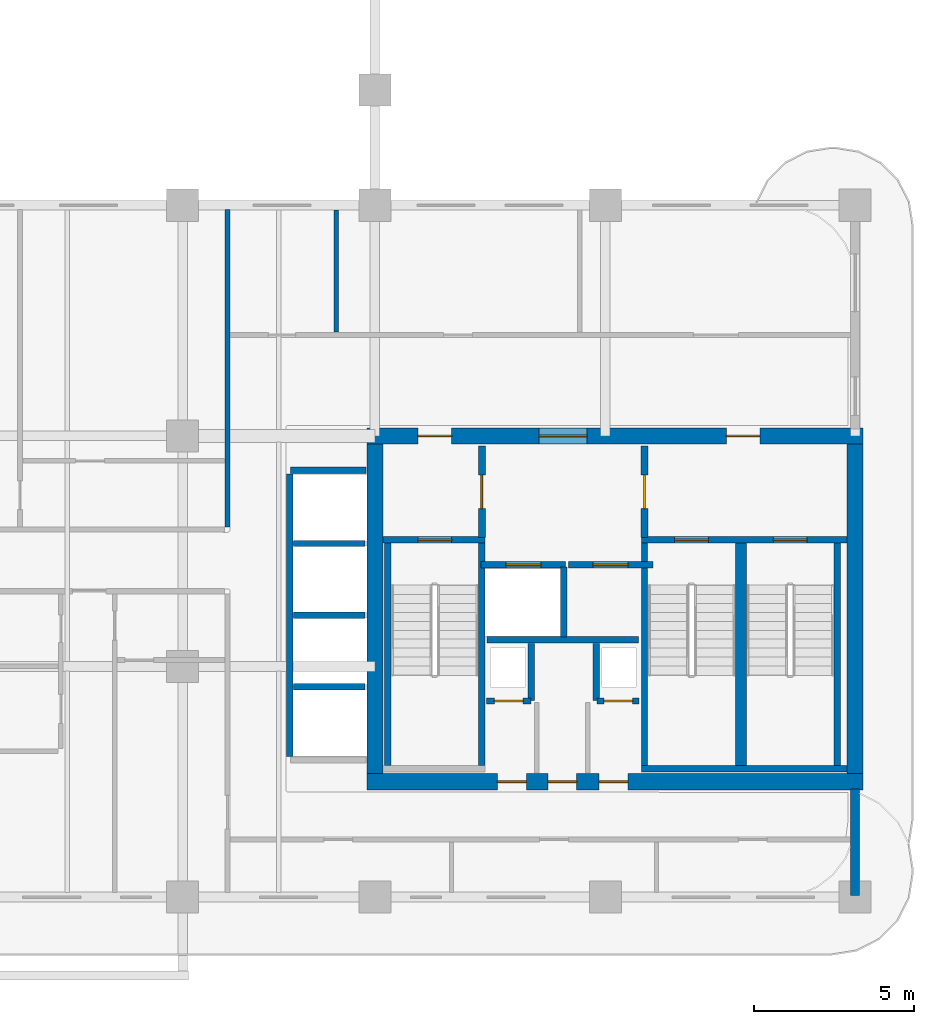
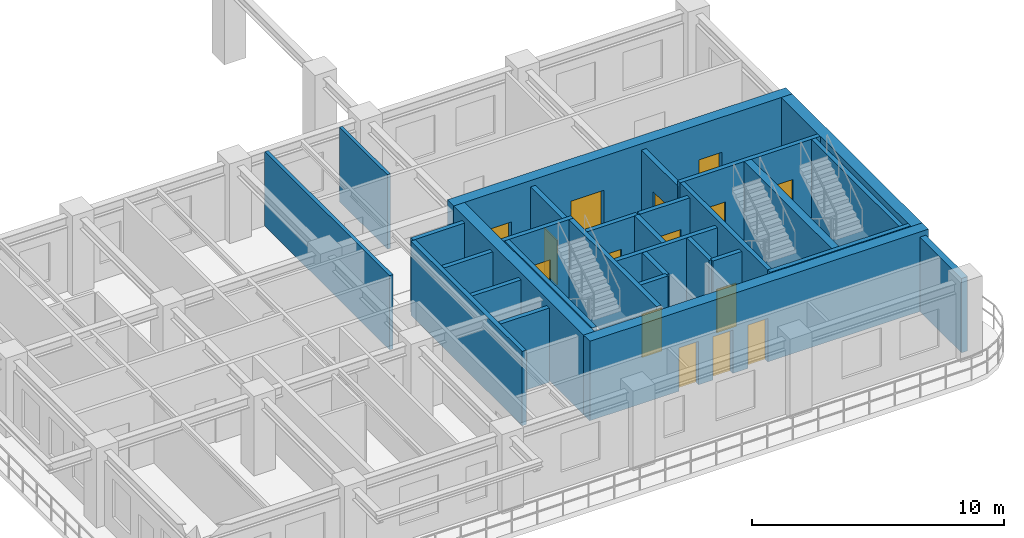
# One storey, part 6 of 14: 30 walls, 15 doors, 15 openings.
"""IFC4 building model written with IfcOpenShell, lengths in metres."""

import ifcopenshell
import ifcopenshell.guid

model = None  # the IFC model being written
_history = None  # IfcOwnerHistory: only IFC2X3 demands one
_inside = {}  # id of a spatial element -> (the spatial element, [elements in it])
_under = {}  # id of a project, library or spatial element -> (it, [spatial elements below it])
_declared = {}  # id of a project -> (the project, [libraries it declares])
_typed = {}  # id of a type object -> (the type object, [elements of that type])
_made_of = {}  # id of a material, layer set ... -> (it, [elements and type objects made of it])


def new_model(schema):
    """Start an empty IFC model of exactly this schema.

    Asked for "IFC4X3", IfcOpenShell would pick the latest addendum, in which some entities
    have other attributes; the version numbers below select the first issue.
    IFC2X3 requires an IfcOwnerHistory on every rooted entity: one is made here for all.
    """
    global model, _history
    if schema == "IFC4X3":
        model = ifcopenshell.file(schema_version=(4, 3, 0, 0))
    else:
        model = ifcopenshell.file(schema=schema)
    _inside.clear()
    _under.clear()
    _declared.clear()
    _typed.clear()
    _made_of.clear()
    _history = None
    if model.schema == "IFC2X3":
        org = make("IfcOrganization", Name="unknown")
        user = make(
            "IfcPersonAndOrganization",
            ThePerson=make("IfcPerson", FamilyName="unknown"),
            TheOrganization=org,
        )
        app = make(
            "IfcApplication",
            ApplicationDeveloper=org,
            Version="unknown",
            ApplicationFullName="unknown",
            ApplicationIdentifier="unknown",
        )
        _history = make(
            "IfcOwnerHistory",
            OwningUser=user,
            OwningApplication=app,
            ChangeAction="ADDED",
            CreationDate=0,
        )
    return model


def make(cls, **values):
    """One entity of the class cls with the attributes given. An attribute that is None is left unset."""
    return model.create_entity(
        cls, **{name: value for name, value in values.items() if value is not None}
    )


def rooted(cls, **values):
    """An entity with a GlobalId (a new one), such as an element, a storey or a relation."""
    return make(cls, GlobalId=ifcopenshell.guid.new(), OwnerHistory=_history, **values)


def si_unit(unit_type, name, prefix=None):
    """IfcSIUnit, for example si_unit("LENGTHUNIT", "METRE", prefix="MILLI")."""
    return make("IfcSIUnit", UnitType=unit_type, Prefix=prefix, Name=name)


def derived_unit(unit_type, elements):
    """IfcDerivedUnit: a product of units, each with its exponent."""
    return make(
        "IfcDerivedUnit",
        Elements=[
            make("IfcDerivedUnitElement", Unit=unit, Exponent=power)
            for unit, power in elements
        ],
        UnitType=unit_type,
    )


def assignment(units):
    """IfcUnitAssignment: the units of a project."""
    return None if units is None else make("IfcUnitAssignment", Units=units)


def point(xyz):
    """IfcCartesianPoint."""
    return None if xyz is None else make("IfcCartesianPoint", Coordinates=xyz)


def direction(xyz):
    """IfcDirection."""
    return None if xyz is None else make("IfcDirection", DirectionRatios=xyz)


def frame(location, z_axis=None, x_axis=None):
    """IfcAxis2Placement3D, a coordinate frame: its origin and axes. An axis left out is left unset."""
    return make(
        "IfcAxis2Placement3D",
        Location=point(location),
        Axis=direction(z_axis),
        RefDirection=direction(x_axis),
    )


def frame_2d(location, x_axis=None):
    """IfcAxis2Placement2D, a coordinate frame in the plane: its origin and x axis."""
    return make(
        "IfcAxis2Placement2D", Location=point(location), RefDirection=direction(x_axis)
    )


def origin():
    """The frame at (0, 0, 0) with its axes left unset."""
    return frame((0.0, 0.0, 0.0))


def place(relative_to, where):
    """IfcLocalPlacement: puts the frame where relative to a parent placement (None: the world)."""
    return make(
        "IfcLocalPlacement", PlacementRelTo=relative_to, RelativePlacement=where
    )


def context(
    kind, dimensions, precision=None, world=None, true_north=None, identifier=None
):
    """IfcGeometricRepresentationContext, for example the 3D "Model" context."""
    return make(
        "IfcGeometricRepresentationContext",
        ContextIdentifier=identifier,
        ContextType=kind,
        CoordinateSpaceDimension=dimensions,
        Precision=precision,
        WorldCoordinateSystem=world,
        TrueNorth=true_north,
    )


def subcontext(parent, identifier, kind, view, scale=None):
    """IfcGeometricRepresentationSubContext, for example "Body" below "Model"."""
    return make(
        "IfcGeometricRepresentationSubContext",
        ContextIdentifier=identifier,
        ContextType=kind,
        ParentContext=parent,
        TargetScale=scale,
        TargetView=view,
    )


def project(units=None, contexts=None):
    """IfcProject with its units and contexts."""
    return rooted(
        "IfcProject",
        Name="project",
        RepresentationContexts=contexts,
        UnitsInContext=assignment(units),
    )


def spatial(cls, under=None, at=None, **own):
    """A site, building, storey or space (cls), placed at a placement, below another one or the project."""
    s = rooted(cls, ObjectPlacement=at, **own)
    if under is not None:
        _under.setdefault(under.id(), (under, []))[1].append(s)
    return s


def profile(cls, at=None, kind="AREA", **sizes):
    """A parametric profile (cls). Its sizes go by their IFC names, for example OverallWidth=200.0."""
    return make(cls, ProfileType=kind, Position=at, **sizes)


def rectangle(**sizes):
    """IfcRectangleProfileDef."""
    return profile("IfcRectangleProfileDef", **sizes)


def extrude(swept, where, along, depth):
    """IfcExtrudedAreaSolid: the profile swept, set in the frame where, extruded along a direction by depth."""
    return make(
        "IfcExtrudedAreaSolid",
        SweptArea=swept,
        Position=where,
        ExtrudedDirection=direction(along),
        Depth=depth,
    )


def shape(context_of_items, identifier, shape_type, items):
    """IfcShapeRepresentation: the items that make up one representation, for example the "Body"."""
    return make(
        "IfcShapeRepresentation",
        ContextOfItems=context_of_items,
        RepresentationIdentifier=identifier,
        RepresentationType=shape_type,
        Items=items,
    )


def source(mapping_origin, context_of_items, identifier, shape_type, items):
    """IfcRepresentationMap: a shape defined once, which mapped items show again and again."""
    return make(
        "IfcRepresentationMap",
        MappingOrigin=mapping_origin,
        MappedRepresentation=shape(context_of_items, identifier, shape_type, items),
    )


def transform(
    local_origin,
    x_axis=None,
    y_axis=None,
    z_axis=None,
    scale=None,
    scale2=None,
    scale3=None,
    uniform=True,
):
    """IfcCartesianTransformationOperator3D, or its non-uniform kind. x_axis, y_axis, z_axis: its Axis1, 2, 3."""
    if uniform:
        return make(
            "IfcCartesianTransformationOperator3D",
            Axis1=direction(x_axis),
            Axis2=direction(y_axis),
            LocalOrigin=point(local_origin),
            Scale=scale,
            Axis3=direction(z_axis),
        )
    return make(
        "IfcCartesianTransformationOperator3DnonUniform",
        Axis1=direction(x_axis),
        Axis2=direction(y_axis),
        LocalOrigin=point(local_origin),
        Scale=scale,
        Axis3=direction(z_axis),
        Scale2=scale2,
        Scale3=scale3,
    )


def mapped(mapping_source, mapping_target):
    """IfcMappedItem: shows the shape of a source again, moved by a transform."""
    return make(
        "IfcMappedItem", MappingSource=mapping_source, MappingTarget=mapping_target
    )


def material(Name=None, Category=None):
    """IfcMaterial."""
    return make("IfcMaterial", Name=Name, Category=Category)


def layer(
    of_material, thickness, ventilated=None, Name=None, Category=None, Priority=None
):
    """IfcMaterialLayer: one layer of a wall or slab, of a material (None: an air gap)."""
    return make(
        "IfcMaterialLayer",
        Material=of_material,
        LayerThickness=thickness,
        IsVentilated=ventilated,
        Name=Name,
        Category=Category,
        Priority=Priority,
    )


def layer_set(layers, Name=None):
    """IfcMaterialLayerSet."""
    return make("IfcMaterialLayerSet", MaterialLayers=layers, LayerSetName=Name)


def made_of(thing, what):
    """Note that an element or type object is made of a material, layer set ...; save() writes the relation."""
    if what is not None:
        _made_of.setdefault(what.id(), (what, []))[1].append(thing)
    return thing


def type_object(cls, material=None, **own):
    """A type object (cls), such as IfcWallType, which elements share."""
    return made_of(rooted(cls, **own), material)


def type_shapes(of_type, sources):
    """Give a type object the sources (RepresentationMaps) that its elements show as mapped items."""
    of_type.RepresentationMaps = sources


def element(
    cls,
    number,
    at=None,
    inside=None,
    cuts=None,
    type_object=None,
    material=None,
    context=None,
    identifier="Body",
    shape_type=None,
    held_by="IfcProductDefinitionShape",
    body=None,
    shapes=None,
    **own,
):
    """One element of the class cls, such as IfcWall. Its Tag is "e" and its number.

    at: its placement. inside: the storey or other place that contains it. cuts: it is an
    opening in that element (IfcRelVoidsElement). A single representation is given by context,
    identifier, shape_type and body (its items); several are given by shapes. held_by: the class
    of the entity that holds the representations. save() writes the other relations.
    """
    e = rooted(cls, Tag="e%d" % number, ObjectPlacement=at, **own)
    if body is not None:
        shapes = [shape(context, identifier, shape_type, body)]
    if shapes is not None:
        e.Representation = make(held_by, Representations=shapes)
    if inside is not None:
        _inside.setdefault(inside.id(), (inside, []))[1].append(e)
    if cuts is not None:
        rooted(
            "IfcRelVoidsElement", RelatingBuildingElement=cuts, RelatedOpeningElement=e
        )
    if type_object is not None:
        _typed.setdefault(type_object.id(), (type_object, []))[1].append(e)
    return made_of(e, material)


def fill(opening, filler):
    """IfcRelFillsElement: the door or window that sits in an opening."""
    return rooted(
        "IfcRelFillsElement",
        RelatingOpeningElement=opening,
        RelatedBuildingElement=filler,
    )


def aggregate(whole, parts):
    """IfcRelAggregates: a whole, such as a stair, and the parts it consists of."""
    return rooted("IfcRelAggregates", RelatingObject=whole, RelatedObjects=parts)


def save(model, path):
    """Write the relations noted so far, then the file.

    IfcRelAggregates (storeys below a building ...), IfcRelContainedInSpatialStructure (elements
    in a storey), IfcRelDefinesByType, IfcRelAssociatesMaterial and IfcRelDeclares: one each for
    every whole, place, type object, material and project.
    """
    for whole, parts in _under.values():
        aggregate(whole, parts)
    for where, things in _inside.values():
        rooted(
            "IfcRelContainedInSpatialStructure",
            RelatedElements=things,
            RelatingStructure=where,
        )
    for kind, things in _typed.values():
        rooted("IfcRelDefinesByType", RelatedObjects=things, RelatingType=kind)
    for what, things in _made_of.values():
        rooted("IfcRelAssociatesMaterial", RelatedObjects=things, RelatingMaterial=what)
    for by, libraries in _declared.values():
        rooted("IfcRelDeclares", RelatingContext=by, RelatedDefinitions=libraries)
    model.write(path)


model = new_model("IFC4")

# Units and contexts
model_context = context("Model", 3, precision=1e-05, world=origin(), true_north=direction((0.0, 1.0)))
body_context = subcontext(model_context, "Body", "Model", "MODEL_VIEW")
ifc_project = project(units=[si_unit("LENGTHUNIT", "METRE"), si_unit("AREAUNIT", "SQUARE_METRE"), si_unit("VOLUMEUNIT", "CUBIC_METRE"), si_unit("PLANEANGLEUNIT", "RADIAN"), si_unit("MASSUNIT", "GRAM", prefix="KILO"), si_unit("THERMODYNAMICTEMPERATUREUNIT", "KELVIN"), si_unit("POWERUNIT", "WATT"), derived_unit("THERMALTRANSMITTANCEUNIT", [(si_unit("POWERUNIT", "WATT"), 1), (si_unit("AREAUNIT", "SQUARE_METRE"), -1), (si_unit("THERMODYNAMICTEMPERATUREUNIT", "KELVIN"), -1)])], contexts=[model_context])

# Site, building, storey
site_placement = place(None, origin())
site = spatial("IfcSite", under=ifc_project, at=site_placement, CompositionType="ELEMENT")
building_placement = place(site_placement, origin())
building = spatial("IfcBuilding", under=site, at=building_placement, Name="Zahravan Archway Hotel and Residences", CompositionType="ELEMENT")
storey_placement = place(building_placement, frame((0.0, 0.0, 188.800048828125)))
storey = spatial("IfcBuildingStorey", under=building, at=storey_placement, Name="L47", CompositionType="ELEMENT", Elevation=188.800048828125)

# Wall, openings, doors
ifc_material_1 = material(Name="Concrete C60/75", Category="concrete")
ifc_layer_1 = layer(ifc_material_1, 0.5, Name="Concrete C60/75", Category="concrete")
ifc_layer_set_1 = layer_set([ifc_layer_1], Name="Concrete C60/75")
wall_type_1 = type_object("IfcWallType", Name="CW-CORE-500", PredefinedType="SHEAR", material=ifc_layer_set_1)
wall_1_placement = place(storey_placement, frame((34.550048828125, 3.60009765625, 0.0), z_axis=(0.0, 0.0, 1.0), x_axis=(1.0, 0.0, 0.0)))
wall_1 = element("IfcWall", 1, at=wall_1_placement, inside=storey, type_object=wall_type_1, Name="L47 Core A Shear S Wall 500 mm", PredefinedType="SHEAR", context=body_context, shape_type="SweptSolid", body=[
    extrude(rectangle(XDim=15.5, YDim=0.5, at=frame_2d((7.75, 0.0))), origin(), (0.0, 0.0, 1.0), 3.849853515625),
])
opening_1_placement = place(wall_1_placement, frame((4.080078125, 0.0, 0.0)))
opening_1 = element("IfcOpeningElement", 2, at=opening_1_placement, cuts=wall_1, Name="Opening FD-R1", PredefinedType="OPENING", context=body_context, shape_type="SweptSolid", body=[
    extrude(rectangle(XDim=0.89990234375, YDim=2.10009765625, at=frame_2d((0.449951171875, 1.050048828125))), frame((0.0, 0.260009765625, 0.0), z_axis=(0.0, -1.0, 0.0), x_axis=(1.0, 0.0, 0.0)), (0.0, 0.0, 1.0), 0.52001953125),
])
opening_2_placement = place(wall_1_placement, frame((5.64990234375, 0.0, 0.0)))
opening_2 = element("IfcOpeningElement", 3, at=opening_2_placement, cuts=wall_1, Name="Opening FD-R1", PredefinedType="OPENING", context=body_context, shape_type="SweptSolid", body=[
    extrude(rectangle(XDim=0.89990234375, YDim=2.10009765625, at=frame_2d((0.449951171875, 1.050048828125))), frame((0.0, 0.260009765625, 0.0), z_axis=(0.0, -1.0, 0.0), x_axis=(1.0, 0.0, 0.0)), (0.0, 0.0, 1.0), 0.52001953125),
])
opening_3_placement = place(wall_1_placement, frame((7.25, 0.0, 0.0)))
opening_3 = element("IfcOpeningElement", 4, at=opening_3_placement, cuts=wall_1, Name="Opening FD-R1", PredefinedType="OPENING", context=body_context, shape_type="SweptSolid", body=[
    extrude(rectangle(XDim=0.89990234375, YDim=2.10009765625, at=frame_2d((0.449951171875, 1.050048828125))), frame((0.0, 0.260009765625, 0.0), z_axis=(0.0, -1.0, 0.0), x_axis=(1.0, 0.0, 0.0)), (0.0, 0.0, 1.0), 0.52001953125),
])
ifc_material_2 = material(Name="Fire-Rated Painted Steel", Category="steel")
door_type_1 = type_object("IfcDoorType", Name="FD-RISER-900", OperationType="NOTDEFINED", PredefinedType="DOOR", material=ifc_material_2)
shared_shape_1 = source(origin(), body_context, "Body", "SweptSolid", [
    extrude(rectangle(XDim=0.89990234375, YDim=2.10009765625, at=frame_2d((0.449951171875, 1.050048828125))), frame((0.0, 0.02490234375, 0.0), z_axis=(0.0, -1.0, 0.0), x_axis=(1.0, 0.0, 0.0)), (0.0, 0.0, 1.0), 0.050048828125),
])
type_shapes(door_type_1, [shared_shape_1])
door_1_placement = place(opening_1_placement, origin())
door_1 = element("IfcDoor", 5, at=door_1_placement, inside=storey, type_object=door_type_1, Name="L47 Linen Store Door", OperationType="SINGLE_SWING_RIGHT", OverallHeight=2.10009765625, OverallWidth=0.89990234375, PredefinedType="DOOR", context=body_context, shape_type="MappedRepresentation", body=[
    mapped(shared_shape_1, transform((0.0, 0.0, 0.0), scale=1.0)),
])
fill(opening_1, door_1)
door_2_placement = place(opening_2_placement, origin())
door_2 = element("IfcDoor", 6, at=door_2_placement, inside=storey, type_object=door_type_1, Name="L47 Housekeeping Store Door", OperationType="SINGLE_SWING_LEFT", OverallHeight=2.10009765625, OverallWidth=0.89990234375, PredefinedType="DOOR", context=body_context, shape_type="MappedRepresentation", body=[
    mapped(shared_shape_1, transform((0.0, 0.0, 0.0), scale=1.0)),
])
fill(opening_2, door_2)
door_3_placement = place(opening_3_placement, origin())
door_3 = element("IfcDoor", 7, at=door_3_placement, inside=storey, type_object=door_type_1, Name="L47 Janitor Store Door", OperationType="SINGLE_SWING_RIGHT", OverallHeight=2.10009765625, OverallWidth=0.89990234375, PredefinedType="DOOR", context=body_context, shape_type="MappedRepresentation", body=[
    mapped(shared_shape_1, transform((0.0, 0.0, 0.0), scale=1.0)),
])
fill(opening_3, door_3)

wall_2_placement = place(storey_placement, frame((34.550048828125, 14.39990234375, 0.0), z_axis=(0.0, 0.0, 1.0), x_axis=(1.0, 0.0, 0.0)))
wall_2 = element("IfcWall", 8, at=wall_2_placement, inside=storey, type_object=wall_type_1, Name="L47 Core A Shear N Wall 500 mm", PredefinedType="SHEAR", context=body_context, shape_type="SweptSolid", body=[
    extrude(rectangle(XDim=15.5, YDim=0.5, at=frame_2d((7.75, 0.0))), origin(), (0.0, 0.0, 1.0), 3.849853515625),
])
opening_4_placement = place(wall_2_placement, frame((5.3798828125, 0.0, 0.0)))
opening_4 = element("IfcOpeningElement", 9, at=opening_4_placement, cuts=wall_2, Name="Opening FD-L1", PredefinedType="OPENING", context=body_context, shape_type="SweptSolid", body=[
    extrude(rectangle(XDim=1.5, YDim=2.199951171875, at=frame_2d((0.75, 1.10009765625))), frame((0.0, 0.260009765625, 0.0), z_axis=(0.0, -1.0, 0.0), x_axis=(1.0, 0.0, 0.0)), (0.0, 0.0, 1.0), 0.52001953125),
])
opening_5_placement = place(wall_2_placement, frame((1.594970703125, 0.0, 0.0)))
opening_5 = element("IfcOpeningElement", 10, at=opening_5_placement, cuts=wall_2, Name="Opening FD-L2", PredefinedType="OPENING", context=body_context, shape_type="SweptSolid", body=[
    extrude(rectangle(XDim=1.050048828125, YDim=2.14990234375, at=frame_2d((0.52490234375, 1.074951171875))), frame((0.0, 0.260009765625, 0.0), z_axis=(0.0, -1.0, 0.0), x_axis=(1.0, 0.0, 0.0)), (0.0, 0.0, 1.0), 0.52001953125),
])
opening_6_placement = place(wall_2_placement, frame((11.22509765625, 0.0, 0.0)))
opening_6 = element("IfcOpeningElement", 11, at=opening_6_placement, cuts=wall_2, Name="Opening FD-L2", PredefinedType="OPENING", context=body_context, shape_type="SweptSolid", body=[
    extrude(rectangle(XDim=1.050048828125, YDim=2.14990234375, at=frame_2d((0.52490234375, 1.074951171875))), frame((0.0, 0.260009765625, 0.0), z_axis=(0.0, -1.0, 0.0), x_axis=(1.0, 0.0, 0.0)), (0.0, 0.0, 1.0), 0.52001953125),
])
door_type_2 = type_object("IfcDoorType", Name="FD-LOBBY-1100", OperationType="NOTDEFINED", PredefinedType="DOOR", material=ifc_material_2)
shared_shape_2 = source(origin(), body_context, "Body", "SweptSolid", [
    extrude(rectangle(XDim=1.050048828125, YDim=2.14990234375, at=frame_2d((0.52490234375, 1.074951171875))), frame((0.0, 0.02490234375, 0.0), z_axis=(0.0, -1.0, 0.0), x_axis=(1.0, 0.0, 0.0)), (0.0, 0.0, 1.0), 0.050048828125),
])
type_shapes(door_type_2, [shared_shape_2])
door_4_placement = place(opening_5_placement, origin())
door_4 = element("IfcDoor", 12, at=door_4_placement, inside=storey, type_object=door_type_2, Name="L47 Core A West Stair Lobby Door", OperationType="SINGLE_SWING_RIGHT", OverallHeight=2.14990234375, OverallWidth=1.050048828125, PredefinedType="DOOR", context=body_context, shape_type="MappedRepresentation", body=[
    mapped(shared_shape_2, transform((0.0, 0.0, 0.0), scale=1.0)),
])
fill(opening_5, door_4)
door_5_placement = place(opening_6_placement, origin())
door_5 = element("IfcDoor", 13, at=door_5_placement, inside=storey, type_object=door_type_2, Name="L47 Core A East Stair Lobby Door", OperationType="SINGLE_SWING_LEFT", OverallHeight=2.14990234375, OverallWidth=1.050048828125, PredefinedType="DOOR", context=body_context, shape_type="MappedRepresentation", body=[
    mapped(shared_shape_2, transform((0.0, 0.0, 0.0), scale=1.0)),
])
fill(opening_6, door_5)
door_type_3 = type_object("IfcDoorType", Name="FD-LOBBY-1500", OperationType="DOUBLE_DOOR_SINGLE_SWING", PredefinedType="DOOR", material=ifc_material_2)
shared_shape_3 = source(origin(), body_context, "Body", "SweptSolid", [
    extrude(rectangle(XDim=1.5, YDim=2.199951171875, at=frame_2d((0.75, 1.10009765625))), frame((0.0, 0.02490234375, 0.0), z_axis=(0.0, -1.0, 0.0), x_axis=(1.0, 0.0, 0.0)), (0.0, 0.0, 1.0), 0.050048828125),
])
type_shapes(door_type_3, [shared_shape_3])
door_6_placement = place(opening_4_placement, origin())
door_6 = element("IfcDoor", 14, at=door_6_placement, inside=storey, type_object=door_type_3, Name="L47 Core A FSAE Lobby Main Door", OperationType="DOUBLE_DOOR_SINGLE_SWING", OverallHeight=2.199951171875, OverallWidth=1.5, PredefinedType="DOOR", context=body_context, shape_type="MappedRepresentation", body=[
    mapped(shared_shape_3, transform((0.0, 0.0, 0.0), scale=1.0)),
])
fill(opening_4, door_6)

# Walls
for number, where, z_axis, x_axis, name in (
    (15, (34.800048828125, 3.85009765625, 0.0), (0.0, 0.0, 1.0), (0.0, 1.0, 0.0), "L47 Core A Shear W Wall 500 mm"),
    (16, (49.800048828125, 3.85009765625, 0.0), (0.0, 0.0, 1.0), (0.0, 1.0, 0.0), "L47 Core A Shear E Wall 500 mm"),
):
    element("IfcWall", number, at=place(storey_placement, frame(where, z_axis=z_axis, x_axis=x_axis)), inside=storey, type_object=wall_type_1, Name=name, PredefinedType="SHEAR", context=body_context, shape_type="SweptSolid", body=[
        extrude(rectangle(XDim=10.2998046875, YDim=0.5, at=frame_2d((5.14990234375, 0.0))), origin(), (0.0, 0.0, 1.0), 3.849853515625),
    ])
ifc_material_3 = material(Name="Honed Red-Ochre Sandstone & Insulated Block", Category="masonry")
ifc_layer_2 = layer(ifc_material_3, 0.280029296875, Name="Honed Red-Ochre Sandstone & Insulated Block", Category="masonry")
ifc_layer_set_2 = layer_set([ifc_layer_2], Name="Honed Red-Ochre Sandstone & Insulated Block")
wall_type_2 = type_object("IfcWallType", Name="EW-LOG-280", PredefinedType="SOLIDWALL", material=ifc_layer_set_2)
wall_3_placement = place(storey_placement, frame((49.800048828125, 0.050048828125, 0.0), z_axis=(0.0, 0.0, 1.0), x_axis=(0.0, 1.0, 0.0)))
element("IfcWall", 17, at=wall_3_placement, inside=storey, type_object=wall_type_2, Name="L47 Exterior Sandstone Wall WA-ES", PredefinedType="SOLIDWALL", context=body_context, shape_type="SweptSolid", body=[
    extrude(rectangle(XDim=3.329833984375, YDim=0.280029296875, at=frame_2d((1.6650390625, 0.0))), origin(), (0.0, 0.0, 1.0), 3.599853515625),
])

# Wall, opening, door
ifc_material_4 = material(Name="Fire-Rated Gypsum & Concrete Block", Category="concrete")
ifc_layer_3 = layer(ifc_material_4, 0.219970703125, Name="Fire-Rated Gypsum & Concrete Block", Category="concrete")
ifc_layer_set_3 = layer_set([ifc_layer_3], Name="Fire-Rated Gypsum & Concrete Block")
wall_type_3 = type_object("IfcWallType", Name="PW-COMP-220", PredefinedType="PARTITIONING", material=ifc_layer_set_3)
wall_4_placement = place(storey_placement, frame((38.139892578125, 11.219970703125, 0.0), z_axis=(0.0, 0.0, 1.0), x_axis=(0.0, 1.0, 0.0)))
wall_4 = element("IfcWall", 18, at=wall_4_placement, inside=storey, type_object=wall_type_3, Name="L47 Partition CA-LOBW", PredefinedType="PARTITIONING", context=body_context, shape_type="SweptSolid", body=[
    extrude(rectangle(XDim=2.860107421875, YDim=0.219970703125, at=frame_2d((1.43017578125, 0.0))), origin(), (0.0, 0.0, 1.0), 3.599853515625),
])
opening_7_placement = place(wall_4_placement, frame((0.905029296875, 0.0, 0.0)))
opening_7 = element("IfcOpeningElement", 19, at=opening_7_placement, cuts=wall_4, Name="Opening FD-L2", PredefinedType="OPENING", context=body_context, shape_type="SweptSolid", body=[
    extrude(rectangle(XDim=1.050048828125, YDim=2.14990234375, at=frame_2d((0.52490234375, 1.074951171875))), frame((0.0, 0.1201171875, 0.0), z_axis=(0.0, -1.0, 0.0), x_axis=(1.0, 0.0, 0.0)), (0.0, 0.0, 1.0), 0.239990234375),
])
door_7_placement = place(opening_7_placement, origin())
door_7 = element("IfcDoor", 20, at=door_7_placement, inside=storey, type_object=door_type_2, Name="L47 Core A West Stair to FSAE Lobby Door", OperationType="SINGLE_SWING_RIGHT", OverallHeight=2.14990234375, OverallWidth=1.050048828125, PredefinedType="DOOR", context=body_context, shape_type="MappedRepresentation", body=[
    mapped(shared_shape_2, transform((0.0, 0.0, 0.0), scale=1.0)),
])
fill(opening_7, door_7)

wall_5_placement = place(storey_placement, frame((43.219970703125, 11.219970703125, 0.0), z_axis=(0.0, 0.0, 1.0), x_axis=(0.0, 1.0, 0.0)))
wall_5 = element("IfcWall", 21, at=wall_5_placement, inside=storey, type_object=wall_type_3, Name="L47 Partition CA-LOBE", PredefinedType="PARTITIONING", context=body_context, shape_type="SweptSolid", body=[
    extrude(rectangle(XDim=2.860107421875, YDim=0.219970703125, at=frame_2d((1.43017578125, 0.0))), origin(), (0.0, 0.0, 1.0), 3.599853515625),
])
opening_8_placement = place(wall_5_placement, frame((0.905029296875, 0.0, 0.0)))
opening_8 = element("IfcOpeningElement", 22, at=opening_8_placement, cuts=wall_5, Name="Opening FD-L2", PredefinedType="OPENING", context=body_context, shape_type="SweptSolid", body=[
    extrude(rectangle(XDim=1.050048828125, YDim=2.14990234375, at=frame_2d((0.52490234375, 1.074951171875))), frame((0.0, 0.1201171875, 0.0), z_axis=(0.0, -1.0, 0.0), x_axis=(1.0, 0.0, 0.0)), (0.0, 0.0, 1.0), 0.239990234375),
])
door_8_placement = place(opening_8_placement, origin())
door_8 = element("IfcDoor", 23, at=door_8_placement, inside=storey, type_object=door_type_2, Name="L47 Core A East Stair to FSAE Lobby Door", OperationType="SINGLE_SWING_LEFT", OverallHeight=2.14990234375, OverallWidth=1.050048828125, PredefinedType="DOOR", context=body_context, shape_type="MappedRepresentation", body=[
    mapped(shared_shape_2, transform((0.0, 0.0, 0.0), scale=1.0)),
])
fill(opening_8, door_8)

# Walls
ifc_layer_4 = layer(ifc_material_4, 0.159912109375, Name="Fire-Rated Gypsum & Concrete Block", Category="concrete")
ifc_layer_set_4 = layer_set([ifc_layer_4], Name="Fire-Rated Gypsum & Concrete Block")
wall_type_4 = type_object("IfcWallType", Name="PW-CORR-160", PredefinedType="PARTITIONING", material=ifc_layer_set_4)
wall_6_placement = place(storey_placement, frame((30.199951171875, 11.56005859375, 0.0), z_axis=(0.0, 0.0, 1.0), x_axis=(0.0, 1.0, 0.0)))
element("IfcWall", 24, at=wall_6_placement, inside=storey, type_object=wall_type_4, Name="L47 Partition WA-FW", PredefinedType="PARTITIONING", context=body_context, shape_type="SweptSolid", body=[
    extrude(rectangle(XDim=9.89990234375, YDim=0.159912109375, at=frame_2d((4.949951171875, 0.0))), origin(), (0.0, 0.0, 1.0), 3.599853515625),
])
ifc_layer_5 = layer(ifc_material_4, 0.199951171875, Name="Fire-Rated Gypsum & Concrete Block", Category="concrete")
ifc_layer_set_5 = layer_set([ifc_layer_5], Name="Fire-Rated Gypsum & Concrete Block")
wall_type_5 = type_object("IfcWallType", Name="PW-SHAFT-200", PredefinedType="PARTITIONING", material=ifc_layer_set_5)
wall_7_placement = place(storey_placement, frame((38.300048828125, 8.030029296875, 0.0), z_axis=(0.0, 0.0, 1.0), x_axis=(1.0, 0.0, 0.0)))
element("IfcWall", 25, at=wall_7_placement, inside=storey, type_object=wall_type_5, Name="L47 Partition CA-FLS", PredefinedType="PARTITIONING", context=body_context, shape_type="SweptSolid", body=[
    extrude(rectangle(XDim=4.739990234375, YDim=0.199951171875, at=frame_2d((2.3701171875, 0.0))), origin(), (0.0, 0.0, 1.0), 3.599853515625),
])
wall_8_placement = place(storey_placement, frame((40.699951171875, 8.1201171875, 0.0), z_axis=(0.0, 0.0, 1.0), x_axis=(0.0, 1.0, 0.0)))
element("IfcWall", 26, at=wall_8_placement, inside=storey, type_object=wall_type_5, Name="L47 Partition CA-FLM", PredefinedType="PARTITIONING", context=body_context, shape_type="SweptSolid", body=[
    extrude(rectangle(XDim=2.179931640625, YDim=0.199951171875, at=frame_2d((1.08984375, 0.0))), origin(), (0.0, 0.0, 1.0), 3.599853515625),
])

# Wall, opening, door
wall_9_placement = place(storey_placement, frame((38.2900390625, 6.1201171875, 0.0), z_axis=(0.0, 0.0, 1.0), x_axis=(1.0, 0.0, 0.0)))
wall_9 = element("IfcWall", 27, at=wall_9_placement, inside=storey, type_object=wall_type_5, Name="L47 Partition CA-SMKS", PredefinedType="PARTITIONING", context=body_context, shape_type="SweptSolid", body=[
    extrude(rectangle(XDim=1.3798828125, YDim=0.199951171875, at=frame_2d((0.68994140625, 0.0))), origin(), (0.0, 0.0, 1.0), 3.599853515625),
])
opening_9_placement = place(wall_9_placement, frame((0.239990234375, 0.0, 0.0)))
opening_9 = element("IfcOpeningElement", 28, at=opening_9_placement, cuts=wall_9, Name="Opening FD-R1", PredefinedType="OPENING", context=body_context, shape_type="SweptSolid", body=[
    extrude(rectangle(XDim=0.89990234375, YDim=2.10009765625, at=frame_2d((0.449951171875, 1.050048828125))), frame((0.0, 0.10986328125, 0.0), z_axis=(0.0, -1.0, 0.0), x_axis=(1.0, 0.0, 0.0)), (0.0, 0.0, 1.0), 0.219970703125),
])
door_9_placement = place(opening_9_placement, origin())
door_9 = element("IfcDoor", 29, at=door_9_placement, inside=storey, type_object=door_type_1, Name="L47 Smoke Riser Access Door", OperationType="SINGLE_SWING_RIGHT", OverallHeight=2.10009765625, OverallWidth=0.89990234375, PredefinedType="DOOR", context=body_context, shape_type="MappedRepresentation", body=[
    mapped(shared_shape_1, transform((0.0, 0.0, 0.0), scale=1.0)),
])
fill(opening_9, door_9)

# Wall
wall_10_placement = place(storey_placement, frame((39.679931640625, 6.1298828125, 0.0), z_axis=(0.0, 0.0, 1.0), x_axis=(0.0, 1.0, 0.0)))
element("IfcWall", 30, at=wall_10_placement, inside=storey, type_object=wall_type_5, Name="L47 Partition CA-SMKE", PredefinedType="PARTITIONING", context=body_context, shape_type="SweptSolid", body=[
    extrude(rectangle(XDim=1.7900390625, YDim=0.199951171875, at=frame_2d((0.89501953125, 0.0))), origin(), (0.0, 0.0, 1.0), 3.599853515625),
])

# Wall, opening, door
wall_11_placement = place(storey_placement, frame((41.72998046875, 6.1201171875, 0.0), z_axis=(0.0, 0.0, 1.0), x_axis=(1.0, 0.0, 0.0)))
wall_11 = element("IfcWall", 31, at=wall_11_placement, inside=storey, type_object=wall_type_5, Name="L47 Partition CA-MEPS", PredefinedType="PARTITIONING", context=body_context, shape_type="SweptSolid", body=[
    extrude(rectangle(XDim=1.320068359375, YDim=0.199951171875, at=frame_2d((0.66015625, 0.0))), origin(), (0.0, 0.0, 1.0), 3.599853515625),
])
opening_10_placement = place(wall_11_placement, frame((0.219970703125, 0.0, 0.0)))
opening_10 = element("IfcOpeningElement", 32, at=opening_10_placement, cuts=wall_11, Name="Opening FD-R1", PredefinedType="OPENING", context=body_context, shape_type="SweptSolid", body=[
    extrude(rectangle(XDim=0.89990234375, YDim=2.10009765625, at=frame_2d((0.449951171875, 1.050048828125))), frame((0.0, 0.10986328125, 0.0), z_axis=(0.0, -1.0, 0.0), x_axis=(1.0, 0.0, 0.0)), (0.0, 0.0, 1.0), 0.219970703125),
])
door_10_placement = place(opening_10_placement, origin())
door_10 = element("IfcDoor", 33, at=door_10_placement, inside=storey, type_object=door_type_1, Name="L47 MEP Riser Access Door", OperationType="SINGLE_SWING_LEFT", OverallHeight=2.10009765625, OverallWidth=0.89990234375, PredefinedType="DOOR", context=body_context, shape_type="MappedRepresentation", body=[
    mapped(shared_shape_1, transform((0.0, 0.0, 0.0), scale=1.0)),
])
fill(opening_10, door_10)

# Walls
wall_12_placement = place(storey_placement, frame((41.719970703125, 6.1298828125, 0.0), z_axis=(0.0, 0.0, 1.0), x_axis=(0.0, 1.0, 0.0)))
element("IfcWall", 34, at=wall_12_placement, inside=storey, type_object=wall_type_5, Name="L47 Partition CA-MEPW", PredefinedType="PARTITIONING", context=body_context, shape_type="SweptSolid", body=[
    extrude(rectangle(XDim=1.7900390625, YDim=0.199951171875, at=frame_2d((0.89501953125, 0.0))), origin(), (0.0, 0.0, 1.0), 3.599853515625),
])
wall_13_placement = place(storey_placement, frame((32.159912109375, 13.320068359375, 0.0), z_axis=(0.0, 0.0, 1.0), x_axis=(1.0, 0.0, 0.0)))
element("IfcWall", 35, at=wall_13_placement, inside=storey, type_object=wall_type_5, Name="L47 Partition B3-N", PredefinedType="PARTITIONING", context=body_context, shape_type="SweptSolid", body=[
    extrude(rectangle(XDim=2.360107421875, YDim=0.199951171875, at=frame_2d((1.18017578125, 0.0))), origin(), (0.0, 0.0, 1.0), 3.599853515625),
])
wall_14_placement = place(storey_placement, frame((32.14990234375, 4.389892578125, 0.0), z_axis=(0.0, 0.0, 1.0), x_axis=(0.0, 1.0, 0.0)))
element("IfcWall", 36, at=wall_14_placement, inside=storey, type_object=wall_type_5, Name="L47 Partition B3-W", PredefinedType="PARTITIONING", context=body_context, shape_type="SweptSolid", body=[
    extrude(rectangle(XDim=8.820068359375, YDim=0.199951171875, at=frame_2d((4.41015625, 0.0))), origin(), (0.0, 0.0, 1.0), 3.599853515625),
])
for number, where, z_axis, x_axis, name in (
    (37, (32.260009765625, 6.56005859375, 0.0), (0.0, 0.0, 1.0), (1.0, 0.0, 0.0), "L47 Partition B3-D"),
    (38, (32.260009765625, 8.800048828125, 0.0), (0.0, 0.0, 1.0), (1.0, 0.0, 0.0), "L47 Partition B3-D"),
    (39, (32.260009765625, 11.0400390625, 0.0), (0.0, 0.0, 1.0), (1.0, 0.0, 0.0), "L47 Partition B3-D"),
):
    element("IfcWall", number, at=place(storey_placement, frame(where, z_axis=z_axis, x_axis=x_axis)), inside=storey, type_object=wall_type_5, Name=name, PredefinedType="PARTITIONING", context=body_context, shape_type="SweptSolid", body=[
        extrude(rectangle(XDim=2.22998046875, YDim=0.199951171875, at=frame_2d((1.114990234375, 0.0))), origin(), (0.0, 0.0, 1.0), 3.599853515625),
    ])

# Wall, opening, door
wall_15_placement = place(storey_placement, frame((38.1201171875, 10.3701171875, 0.0), z_axis=(0.0, 0.0, 1.0), x_axis=(1.0, 0.0, 0.0)))
wall_15 = element("IfcWall", 40, at=wall_15_placement, inside=storey, type_object=wall_type_5, Name="L47 Lift FL-1 Front Wall", PredefinedType="PARTITIONING", context=body_context, shape_type="SweptSolid", body=[
    extrude(rectangle(XDim=2.639892578125, YDim=0.199951171875, at=frame_2d((1.31982421875, 0.0))), origin(), (0.0, 0.0, 1.0), 3.599853515625),
])
opening_11_placement = place(wall_15_placement, frame((0.77001953125, 0.0, 0.0)))
opening_11 = element("IfcOpeningElement", 41, at=opening_11_placement, cuts=wall_15, Name="Opening LD", PredefinedType="OPENING", context=body_context, shape_type="SweptSolid", body=[
    extrude(rectangle(XDim=1.10009765625, YDim=2.199951171875, at=frame_2d((0.550048828125, 1.10009765625))), frame((0.0, 0.10986328125, 0.0), z_axis=(0.0, -1.0, 0.0), x_axis=(1.0, 0.0, 0.0)), (0.0, 0.0, 1.0), 0.219970703125),
])
ifc_material_5 = material(Name="Brushed Stainless Steel", Category="steel")
door_type_4 = type_object("IfcDoorType", Name="DR-LIFT-LD", OperationType="SLIDING_TO_LEFT", PredefinedType="DOOR", material=ifc_material_5)
shared_shape_4 = source(origin(), body_context, "Body", "SweptSolid", [
    extrude(rectangle(XDim=1.10009765625, YDim=2.199951171875, at=frame_2d((0.550048828125, 1.10009765625))), frame((0.0, 0.02490234375, 0.0), z_axis=(0.0, -1.0, 0.0), x_axis=(1.0, 0.0, 0.0)), (0.0, 0.0, 1.0), 0.050048828125),
])
type_shapes(door_type_4, [shared_shape_4])
door_11_placement = place(opening_11_placement, origin())
door_11 = element("IfcDoor", 42, at=door_11_placement, inside=storey, type_object=door_type_4, Name="L47 Lift FL-1 Sliding Landing Door", OperationType="SLIDING_TO_LEFT", OverallHeight=2.199951171875, OverallWidth=1.10009765625, PredefinedType="DOOR", context=body_context, shape_type="MappedRepresentation", body=[
    mapped(shared_shape_4, transform((0.0, 0.0, 0.0), scale=1.0)),
])
fill(opening_11, door_11)

wall_16_placement = place(storey_placement, frame((40.840087890625, 10.3701171875, 0.0), z_axis=(0.0, 0.0, 1.0), x_axis=(1.0, 0.0, 0.0)))
wall_16 = element("IfcWall", 43, at=wall_16_placement, inside=storey, type_object=wall_type_5, Name="L47 Lift FL-2 Front Wall", PredefinedType="PARTITIONING", context=body_context, shape_type="SweptSolid", body=[
    extrude(rectangle(XDim=2.639892578125, YDim=0.199951171875, at=frame_2d((1.31982421875, 0.0))), origin(), (0.0, 0.0, 1.0), 3.599853515625),
])
opening_12_placement = place(wall_16_placement, frame((0.77001953125, 0.0, 0.0)))
opening_12 = element("IfcOpeningElement", 44, at=opening_12_placement, cuts=wall_16, Name="Opening LD", PredefinedType="OPENING", context=body_context, shape_type="SweptSolid", body=[
    extrude(rectangle(XDim=1.10009765625, YDim=2.199951171875, at=frame_2d((0.550048828125, 1.10009765625))), frame((0.0, 0.10986328125, 0.0), z_axis=(0.0, -1.0, 0.0), x_axis=(1.0, 0.0, 0.0)), (0.0, 0.0, 1.0), 0.219970703125),
])
door_12_placement = place(opening_12_placement, origin())
door_12 = element("IfcDoor", 45, at=door_12_placement, inside=storey, type_object=door_type_4, Name="L47 Lift FL-2 Sliding Landing Door", OperationType="SLIDING_TO_LEFT", OverallHeight=2.199951171875, OverallWidth=1.10009765625, PredefinedType="DOOR", context=body_context, shape_type="MappedRepresentation", body=[
    mapped(shared_shape_4, transform((0.0, 0.0, 0.0), scale=1.0)),
])
fill(opening_12, door_12)

# Walls
ifc_material_6 = material(Name="Moisture-Resistant Blockwork", Category="masonry")
ifc_layer_6 = layer(ifc_material_6, 0.139892578125, Name="Moisture-Resistant Blockwork", Category="masonry")
ifc_layer_set_6 = layer_set([ifc_layer_6], Name="Moisture-Resistant Blockwork")
wall_type_6 = type_object("IfcWallType", Name="PW-WET-140", PredefinedType="PARTITIONING", material=ifc_layer_set_6)
wall_17_placement = place(storey_placement, frame((33.60009765625, 17.639892578125, 0.0), z_axis=(0.0, 0.0, 1.0), x_axis=(0.0, 1.0, 0.0)))
element("IfcWall", 46, at=wall_17_placement, inside=storey, type_object=wall_type_6, Name="L47 Partition NE0-1", PredefinedType="PARTITIONING", context=body_context, shape_type="SweptSolid", body=[
    extrude(rectangle(XDim=3.81201171875, YDim=0.139892578125, at=frame_2d((1.906005859375, 0.0))), origin(), (0.0, 0.0, 1.0), 3.599853515625),
])
ifc_material_7 = material(Name="Concrete C50/60", Category="concrete")
ifc_layer_7 = layer(ifc_material_7, 0.199951171875, Name="Concrete C50/60", Category="concrete")
ifc_layer_set_7 = layer_set([ifc_layer_7], Name="Concrete C50/60")
wall_type_7 = type_object("IfcWallType", Name="SW-STAIR-200", PredefinedType="SHEAR", material=ifc_layer_set_7)
for number, where, z_axis, x_axis, name in (
    (47, (35.199951171875, 4.10009765625, 0.0), (0.0, 0.0, 1.0), (0.0, 1.0, 0.0), "L47 Stairwell RC Wall CA-SA1W"),
    (48, (38.139892578125, 4.10009765625, 0.0), (0.0, 0.0, 1.0), (0.0, 1.0, 0.0), "L47 Stairwell RC Wall CA-SA1E"),
):
    element("IfcWall", number, at=place(storey_placement, frame(where, z_axis=z_axis, x_axis=x_axis)), inside=storey, type_object=wall_type_7, Name=name, PredefinedType="SHEAR", context=body_context, shape_type="SweptSolid", body=[
        extrude(rectangle(XDim=6.949951171875, YDim=0.199951171875, at=frame_2d((3.47509765625, 0.0))), origin(), (0.0, 0.0, 1.0), 3.849853515625),
    ])

# Wall, opening, door
wall_18_placement = place(storey_placement, frame((35.050048828125, 11.14990234375, 0.0), z_axis=(0.0, 0.0, 1.0), x_axis=(1.0, 0.0, 0.0)))
wall_18 = element("IfcWall", 49, at=wall_18_placement, inside=storey, type_object=wall_type_7, Name="L47 Stairwell RC Wall CA-SA1N", PredefinedType="SHEAR", context=body_context, shape_type="SweptSolid", body=[
    extrude(rectangle(XDim=3.18994140625, YDim=0.199951171875, at=frame_2d((1.594970703125, 0.0))), origin(), (0.0, 0.0, 1.0), 3.849853515625),
])
opening_13_placement = place(wall_18_placement, frame((1.094970703125, 0.0, 0.0)))
opening_13 = element("IfcOpeningElement", 50, at=opening_13_placement, cuts=wall_18, Name="Opening FD-S1", PredefinedType="OPENING", context=body_context, shape_type="SweptSolid", body=[
    extrude(rectangle(XDim=1.050048828125, YDim=2.199951171875, at=frame_2d((0.52490234375, 1.10009765625))), frame((0.0, 0.10986328125, 0.0), z_axis=(0.0, -1.0, 0.0), x_axis=(1.0, 0.0, 0.0)), (0.0, 0.0, 1.0), 0.219970703125),
])
door_type_5 = type_object("IfcDoorType", Name="FD-STAIR-1100", OperationType="NOTDEFINED", PredefinedType="DOOR", material=ifc_material_2)
shared_shape_5 = source(origin(), body_context, "Body", "SweptSolid", [
    extrude(rectangle(XDim=1.050048828125, YDim=2.199951171875, at=frame_2d((0.52490234375, 1.10009765625))), frame((0.0, 0.02490234375, 0.0), z_axis=(0.0, -1.0, 0.0), x_axis=(1.0, 0.0, 0.0)), (0.0, 0.0, 1.0), 0.050048828125),
])
type_shapes(door_type_5, [shared_shape_5])
door_13_placement = place(opening_13_placement, origin())
door_13 = element("IfcDoor", 51, at=door_13_placement, inside=storey, type_object=door_type_5, Name="L47 Stair ST-A1 Door", OperationType="SINGLE_SWING_LEFT", OverallHeight=2.199951171875, OverallWidth=1.050048828125, PredefinedType="DOOR", context=body_context, shape_type="MappedRepresentation", body=[
    mapped(shared_shape_5, transform((0.0, 0.0, 0.0), scale=1.0)),
])
fill(opening_13, door_13)

# Walls
wall_19_placement = place(storey_placement, frame((43.1201171875, 4.0, 0.0), z_axis=(0.0, 0.0, 1.0), x_axis=(1.0, 0.0, 0.0)))
element("IfcWall", 52, at=wall_19_placement, inside=storey, type_object=wall_type_7, Name="L47 Stairwell RC Wall CA-SA23S", PredefinedType="SHEAR", context=body_context, shape_type="SweptSolid", body=[
    extrude(rectangle(XDim=6.429931640625, YDim=0.199951171875, at=frame_2d((3.21484375, 0.0))), origin(), (0.0, 0.0, 1.0), 3.849853515625),
])
for number, where, z_axis, x_axis, name in (
    (53, (43.219970703125, 4.10009765625, 0.0), (0.0, 0.0, 1.0), (0.0, 1.0, 0.0), "L47 Stairwell RC Wall CA-SA2W"),
    (54, (49.239990234375, 4.10009765625, 0.0), (0.0, 0.0, 1.0), (0.0, 1.0, 0.0), "L47 Stairwell RC Wall CA-SA3E"),
):
    element("IfcWall", number, at=place(storey_placement, frame(where, z_axis=z_axis, x_axis=x_axis)), inside=storey, type_object=wall_type_7, Name=name, PredefinedType="SHEAR", context=body_context, shape_type="SweptSolid", body=[
        extrude(rectangle(XDim=6.949951171875, YDim=0.199951171875, at=frame_2d((3.47509765625, 0.0))), origin(), (0.0, 0.0, 1.0), 3.849853515625),
    ])

# Wall, openings, doors
wall_20_placement = place(storey_placement, frame((43.1201171875, 11.14990234375, 0.0), z_axis=(0.0, 0.0, 1.0), x_axis=(1.0, 0.0, 0.0)))
wall_20 = element("IfcWall", 55, at=wall_20_placement, inside=storey, type_object=wall_type_7, Name="L47 Stairwell RC Wall CA-SA23N", PredefinedType="SHEAR", context=body_context, shape_type="SweptSolid", body=[
    extrude(rectangle(XDim=6.429931640625, YDim=0.199951171875, at=frame_2d((3.21484375, 0.0))), origin(), (0.0, 0.0, 1.0), 3.849853515625),
])
opening_14_placement = place(wall_20_placement, frame((1.044921875, 0.0, 0.0)))
opening_14 = element("IfcOpeningElement", 56, at=opening_14_placement, cuts=wall_20, Name="Opening FD-S1", PredefinedType="OPENING", context=body_context, shape_type="SweptSolid", body=[
    extrude(rectangle(XDim=1.050048828125, YDim=2.199951171875, at=frame_2d((0.52490234375, 1.10009765625))), frame((0.0, 0.10986328125, 0.0), z_axis=(0.0, -1.0, 0.0), x_axis=(1.0, 0.0, 0.0)), (0.0, 0.0, 1.0), 0.219970703125),
])
opening_15_placement = place(wall_20_placement, frame((4.125, 0.0, 0.0)))
opening_15 = element("IfcOpeningElement", 57, at=opening_15_placement, cuts=wall_20, Name="Opening FD-S1", PredefinedType="OPENING", context=body_context, shape_type="SweptSolid", body=[
    extrude(rectangle(XDim=1.050048828125, YDim=2.199951171875, at=frame_2d((0.52490234375, 1.10009765625))), frame((0.0, 0.10986328125, 0.0), z_axis=(0.0, -1.0, 0.0), x_axis=(1.0, 0.0, 0.0)), (0.0, 0.0, 1.0), 0.219970703125),
])
door_14_placement = place(opening_14_placement, origin())
door_14 = element("IfcDoor", 58, at=door_14_placement, inside=storey, type_object=door_type_5, Name="L47 Stair ST-A2 Door", OperationType="SINGLE_SWING_RIGHT", OverallHeight=2.199951171875, OverallWidth=1.050048828125, PredefinedType="DOOR", context=body_context, shape_type="MappedRepresentation", body=[
    mapped(shared_shape_5, transform((0.0, 0.0, 0.0), scale=1.0)),
])
fill(opening_14, door_14)
door_15_placement = place(opening_15_placement, origin())
door_15 = element("IfcDoor", 59, at=door_15_placement, inside=storey, type_object=door_type_5, Name="L47 Stair ST-A3 Door", OperationType="SINGLE_SWING_LEFT", OverallHeight=2.199951171875, OverallWidth=1.050048828125, PredefinedType="DOOR", context=body_context, shape_type="MappedRepresentation", body=[
    mapped(shared_shape_5, transform((0.0, 0.0, 0.0), scale=1.0)),
])
fill(opening_15, door_15)

# Wall
ifc_layer_8 = layer(ifc_material_7, 0.340087890625, Name="Concrete C50/60", Category="concrete")
ifc_layer_set_8 = layer_set([ifc_layer_8], Name="Concrete C50/60")
wall_type_8 = type_object("IfcWallType", Name="SW-STAIR-340", PredefinedType="SHEAR", material=ifc_layer_set_8)
wall_21_placement = place(storey_placement, frame((46.22998046875, 4.10009765625, 0.0), z_axis=(0.0, 0.0, 1.0), x_axis=(0.0, 1.0, 0.0)))
element("IfcWall", 60, at=wall_21_placement, inside=storey, type_object=wall_type_8, Name="L47 Stairwell RC Wall CA-SA23M", PredefinedType="SHEAR", context=body_context, shape_type="SweptSolid", body=[
    extrude(rectangle(XDim=6.949951171875, YDim=0.340087890625, at=frame_2d((3.47509765625, 0.0))), origin(), (0.0, 0.0, 1.0), 3.849853515625),
])

save(model, "model.ifc")
